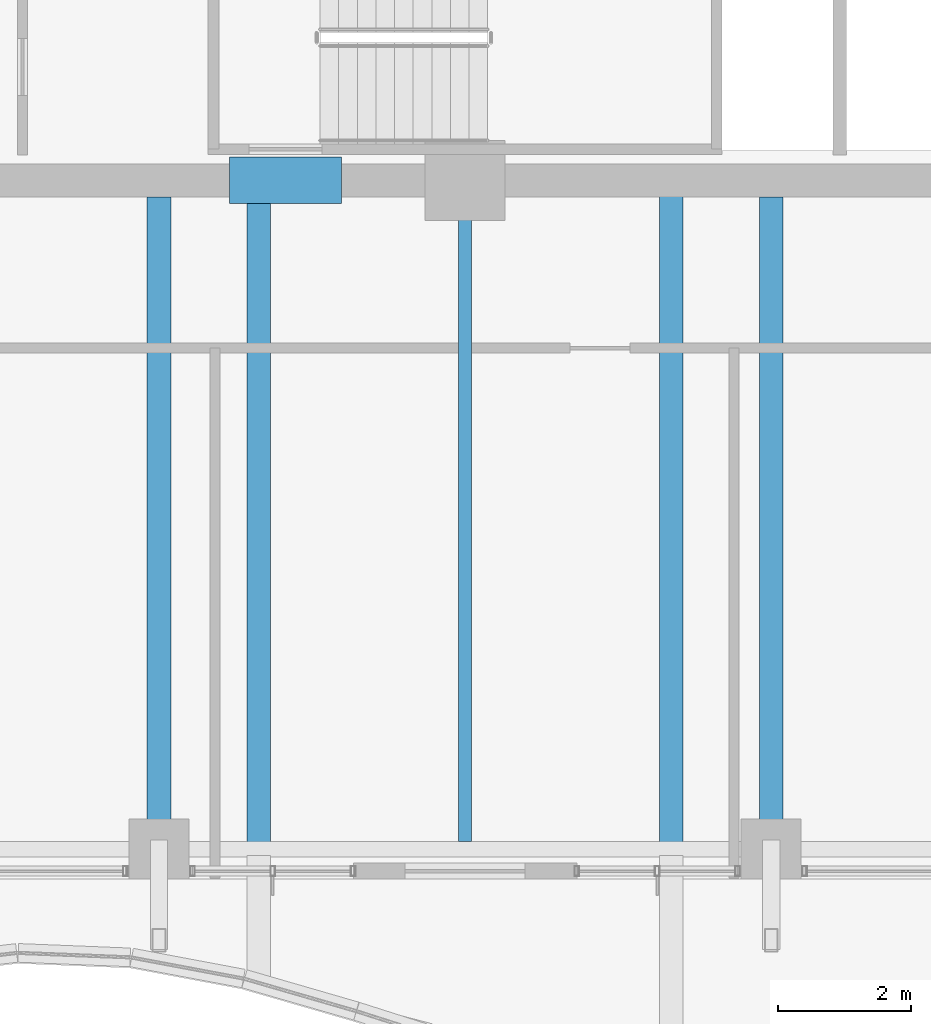
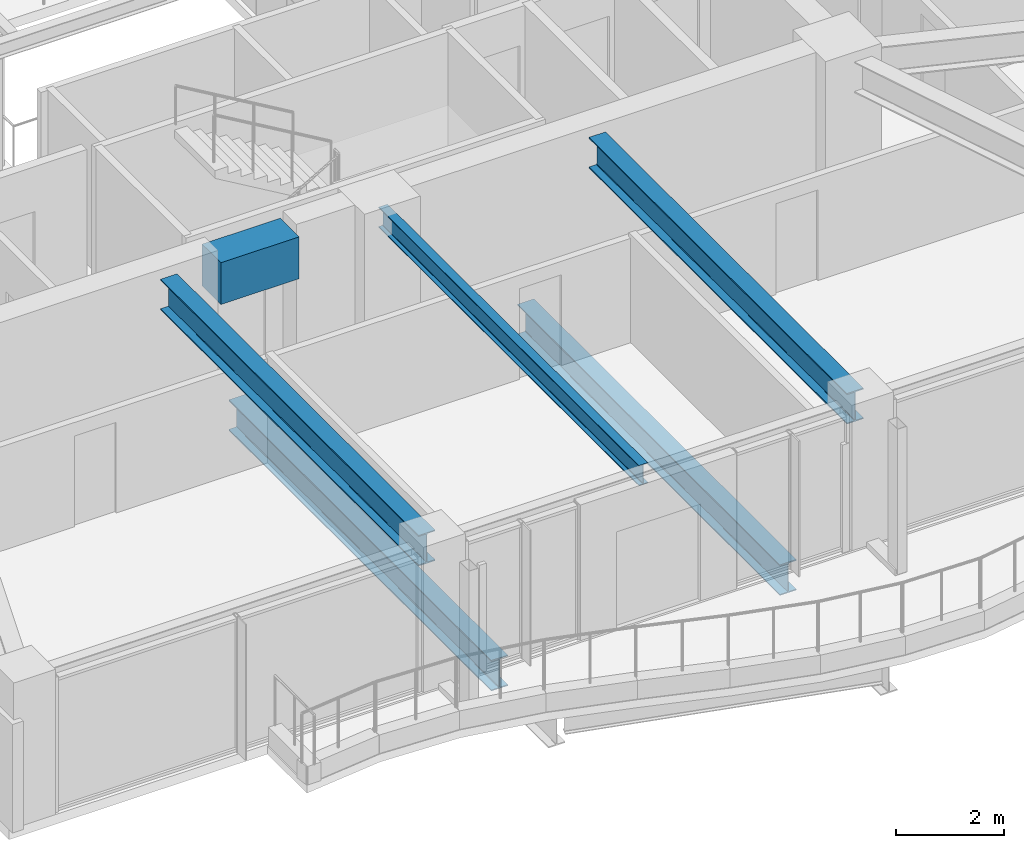
# One storey, part 7 of 37: 6 beams.
"""IFC4 building model written with IfcOpenShell, lengths in metres."""

from ifc_helpers import new_model, si_unit, direction, frame, origin, origin_2d, place, context, subcontext, project, spatial, rectangle, i_section, extrude, material, material_profile, profile_set, type_object, element, save


model = new_model("IFC4")

# Units and contexts
model_context = context("Model", 3, precision=1e-05, world=origin(), true_north=direction((0.0, 1.0)))
body_context = subcontext(model_context, "Body", "Model", "MODEL_VIEW")
ifc_project = project(units=[si_unit("LENGTHUNIT", "METRE"), si_unit("AREAUNIT", "SQUARE_METRE"), si_unit("VOLUMEUNIT", "CUBIC_METRE"), si_unit("PLANEANGLEUNIT", "RADIAN"), si_unit("MASSUNIT", "GRAM", prefix="KILO")], contexts=[model_context])

# Site, building, storey
site_placement = place(None, origin())
site = spatial("IfcSite", under=ifc_project, at=site_placement, CompositionType="ELEMENT")
building_placement = place(site_placement, origin())
building = spatial("IfcBuilding", under=site, at=building_placement, Name="Kolvaren Belvedere", CompositionType="ELEMENT")
storey_placement = place(building_placement, frame((0.0, 0.0, 180.0)))
storey = spatial("IfcBuildingStorey", under=building, at=storey_placement, Name="L52", CompositionType="ELEMENT", Elevation=180.0)

# Beams
ifc_material_1 = material(Name="Structural steel ASTM A992 Grade 50", Category="steel")
ifc_material_profile_1 = material_profile(ifc_material_1, i_section(OverallWidth=0.35498046875, OverallDepth=0.696044921875, WebThickness=0.015380859375, FlangeThickness=0.02490234375, FilletRadius=0.02197265625, at=origin_2d()), Name="W27X146")
ifc_profile_set_1 = profile_set([ifc_material_profile_1], Name="Structural steel ASTM A992 Grade 50")
beam_type_1 = type_object("IfcBeamType", Name="BM-GIRD-W27X146", PredefinedType="BEAM", material=ifc_profile_set_1)
for number, where, z_axis, x_axis, name in (
    (1, (-3.10009765625, -10.090087890625, -0.568115234375), (0.0, -1.0, 0.0), (1.0, 0.0, 0.0), "L52 Balcony Interior Back-Span Girder BAL-S-1"),
    (2, (3.10009765625, -10.090087890625, -0.568115234375), (0.0, -1.0, 0.0), (1.0, 0.0, 0.0), "L52 Balcony Interior Back-Span Girder BAL-S-2"),
):
    element("IfcBeam", number, at=place(storey_placement, frame(where, z_axis=z_axis, x_axis=x_axis)), inside=storey, type_object=beam_type_1, Name=name, PredefinedType="BEAM", context=body_context, shape_type="SweptSolid", body=[
        extrude(i_section(OverallWidth=0.35498046875, OverallDepth=0.696044921875, WebThickness=0.015380859375, FlangeThickness=0.02490234375, FilletRadius=0.02197265625, at=origin_2d()), origin(), (0.0, 0.0, 1.0), 9.764892578125),
    ])
for number, where, z_axis, x_axis, name in (
    (3, (4.60009765625, -10.14990234375, 2.73193359375), (0.0, -1.0, 0.0), (1.0, 0.0, 0.0), "L52 South Radial Girder P"),
    (4, (-4.60009765625, -10.14990234375, 2.73193359375), (0.0, -1.0, 0.0), (1.0, 0.0, 0.0), "L52 South Radial Girder M"),
):
    element("IfcBeam", number, at=place(storey_placement, frame(where, z_axis=z_axis, x_axis=x_axis)), inside=storey, type_object=beam_type_1, Name=name, PredefinedType="BEAM", context=body_context, shape_type="SweptSolid", body=[
        extrude(i_section(OverallWidth=0.35498046875, OverallDepth=0.696044921875, WebThickness=0.015380859375, FlangeThickness=0.02490234375, FilletRadius=0.02197265625, at=origin_2d()), origin(), (0.0, 0.0, 1.0), 9.59765625),
    ])
ifc_material_2 = material(Name="Structural steel ASTM A992 Grade 50", Category="steel")
ifc_material_profile_2 = material_profile(ifc_material_2, i_section(OverallWidth=0.19091796875, OverallDepth=0.4599609375, WebThickness=0.010009765625, FlangeThickness=0.01611328125, FilletRadius=0.014892578125, at=origin_2d()), Name="W18X55")
ifc_profile_set_2 = profile_set([ifc_material_profile_2], Name="Structural steel ASTM A992 Grade 50")
beam_type_2 = type_object("IfcBeamType", Name="BM-JOIST-W18X55", PredefinedType="BEAM", material=ifc_profile_set_2)
beam_1_placement = place(storey_placement, frame((0.0, -10.14990234375, 2.85009765625), z_axis=(0.0, -1.0, 0.0), x_axis=(1.0, 0.0, 0.0)))
element("IfcBeam", 5, at=beam_1_placement, inside=storey, type_object=beam_type_2, Name="L52 South Centre Floor Beam", PredefinedType="BEAM", context=body_context, shape_type="SweptSolid", body=[
    extrude(i_section(OverallWidth=0.19091796875, OverallDepth=0.4599609375, WebThickness=0.010009765625, FlangeThickness=0.01611328125, FilletRadius=0.014892578125, at=origin_2d()), origin(), (0.0, 0.0, 1.0), 9.685546875),
])
ifc_material_3 = material(Name="Concrete C60/75", Category="concrete")
ifc_material_profile_3 = material_profile(ifc_material_3, rectangle(XDim=0.699951171875, YDim=0.949951171875, at=origin_2d()), Name="RC 700X950")
ifc_profile_set_3 = profile_set([ifc_material_profile_3], Name="Concrete C60/75")
beam_type_3 = type_object("IfcBeamType", Name="BM-LINT-950", PredefinedType="LINTEL", material=ifc_profile_set_3)
beam_2_placement = place(storey_placement, frame((-3.5400390625, -9.89990234375, 2.60498046875), z_axis=(1.0, 0.0, 0.0), x_axis=(0.0, 1.0, 0.0)))
element("IfcBeam", 6, at=beam_2_placement, inside=storey, type_object=beam_type_3, Name="L52 South Core Coupling Lintel", PredefinedType="LINTEL", context=body_context, shape_type="SweptSolid", body=[
    extrude(rectangle(XDim=0.699951171875, YDim=0.949951171875, at=origin_2d()), origin(), (0.0, 0.0, 1.0), 1.679931640625),
])

save(model, "model.ifc")
